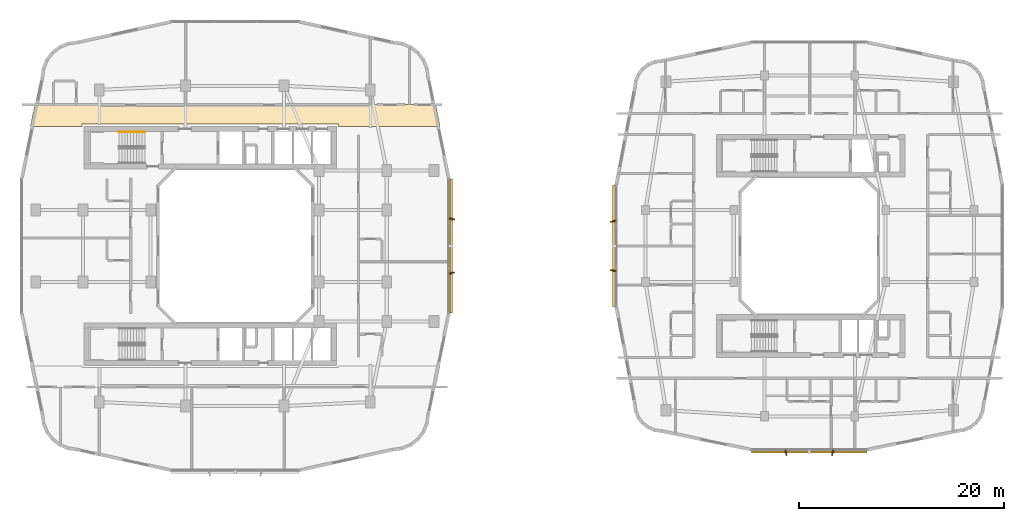
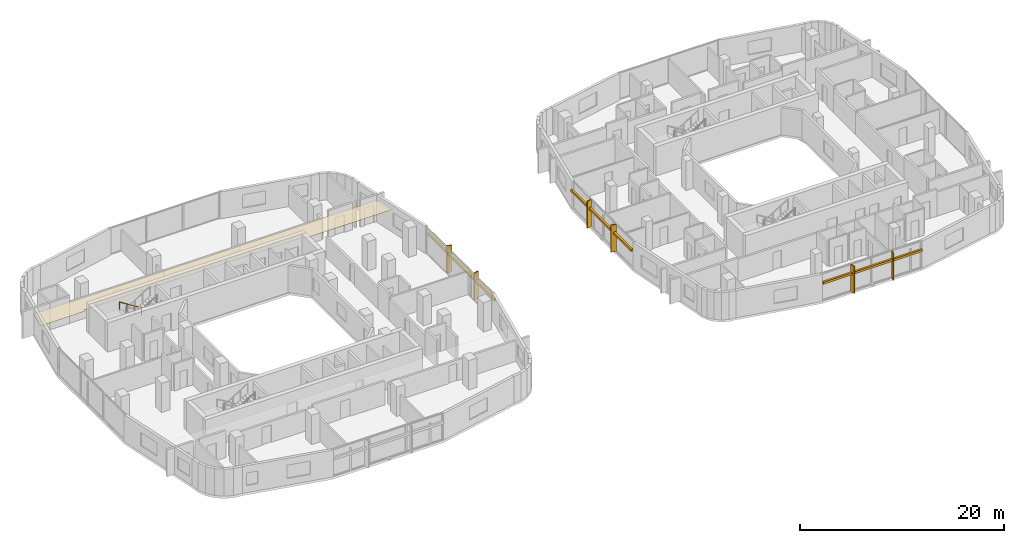
# One storey, part 25 of 26: 9 shading devices, 1 covering, 1 railing.
"""IFC4 building model written with IfcOpenShell, lengths in metres."""

from ifc_helpers import new_model, si_unit, derived_unit, direction, frame, origin, origin_2d, place, context, subcontext, project, spatial, polyline, rectangle, circle, outline, extrude, material, layer, layer_set, type_object, element, save


model = new_model("IFC4")

# Units and contexts
model_context = context("Model", 3, precision=1e-05, world=origin(), true_north=direction((0.0, 1.0)))
body_context = subcontext(model_context, "Body", "Model", "MODEL_VIEW")
ifc_project = project(units=[si_unit("LENGTHUNIT", "METRE"), si_unit("AREAUNIT", "SQUARE_METRE"), si_unit("VOLUMEUNIT", "CUBIC_METRE"), si_unit("PLANEANGLEUNIT", "RADIAN"), si_unit("MASSUNIT", "GRAM", prefix="KILO"), derived_unit("THERMALTRANSMITTANCEUNIT", [(si_unit("POWERUNIT", "WATT"), 1), (si_unit("LENGTHUNIT", "METRE"), -2), (si_unit("THERMODYNAMICTEMPERATUREUNIT", "KELVIN"), -1)])], contexts=[model_context])

# Site, building, storey
site_placement = place(None, origin())
site = spatial("IfcSite", under=ifc_project, at=site_placement, CompositionType="ELEMENT")
building_placement = place(site_placement, origin())
building = spatial("IfcBuilding", under=site, at=building_placement, Name="Kivonza Crest Hotel", CompositionType="ELEMENT")
storey_placement = place(building_placement, frame((0.0, 0.0, 62.5)))
storey = spatial("IfcBuildingStorey", under=building, at=storey_placement, Name="L16", CompositionType="ELEMENT", Elevation=62.5)

# Covering
ifc_material_1 = material(Name="Mineral-fibre acoustic ceiling tile", Category="gypsum")
ifc_layer = layer(ifc_material_1, 0.02490234375)
ifc_layer_set = layer_set([ifc_layer], Name="Mineral-fibre acoustic ceiling tile")
covering_type = type_object("IfcCoveringType", Name="CV-CEIL-ACOU", PredefinedType="CEILING", material=ifc_layer_set)
covering_placement = place(storey_placement, frame((0.0, 0.0, 2.449951171875)))
element("IfcCovering", 1, at=covering_placement, inside=storey, type_object=covering_type, Name="L16 Hotel North Guest Corridor suspended ceiling", PredefinedType="CEILING", context=body_context, shape_type="SweptSolid", body=[
    extrude(outline(polyline([(1.506103515625, 38.7900390625), (1.06396484375, 36.6201171875), (6.10009765625, 36.6201171875), (6.10009765625, 36.860107421875), (31.10009765625, 36.860107421875), (31.10009765625, 36.6201171875), (41.01611328125, 36.6201171875), (40.573974609375, 38.7900390625), (1.506103515625, 38.7900390625)])), origin(), (0.0, 0.0, 1.0), 0.025146484375),
])

# Railing
ifc_material_2 = material(Name="Brushed stainless steel handrail", Category="steel")
railing_type = type_object("IfcRailingType", Name="RL-HAND-900", PredefinedType="HANDRAIL", material=ifc_material_2)
railing_placement = place(storey_placement, frame((12.239990234375, 36.110107421875, 0.175048828125)))
element("IfcRailing", 2, at=railing_placement, inside=storey, type_object=railing_type, Name="L16 ST-T1-N stair handrail 1", PredefinedType="HANDRAIL", context=body_context, shape_type="SweptSolid", body=[
    extrude(circle(Radius=0.02392578125, at=origin_2d()), frame((0.0, 0.0, 0.8759765625), z_axis=(-0.848007534815, 0.0, 0.529984170421), x_axis=(0.0, -1.0, 0.0)), (0.0, 0.0, 1.0), 2.9716796875),
    extrude(circle(Radius=0.02099609375, at=origin_2d()), origin(), (0.0, 0.0, 1.0), 0.851806640625),
    extrude(circle(Radius=0.02099609375, at=origin_2d()), frame((-0.840087890625, 0.0, 0.52490234375)), (0.0, 0.0, 1.0), 0.851806640625),
    extrude(circle(Radius=0.02099609375, at=origin_2d()), frame((-1.679931640625, 0.0, 1.050048828125)), (0.0, 0.0, 1.0), 0.851806640625),
    extrude(circle(Radius=0.02099609375, at=origin_2d()), frame((-2.52001953125, 0.0, 1.574951171875)), (0.0, 0.0, 1.0), 0.851806640625),
])

# Shading devices
ifc_material_3 = material(Name="Kiln-fired Nairobi red-ochre terracotta", Category="masonry")
shading_device_type_1 = type_object("IfcShadingDeviceType", Name="SH-BAGUETTE-300", PredefinedType="USERDEFINED", material=ifc_material_3)
shading_device_1_placement = place(storey_placement, frame((42.080078125, 25.0, 2.1240234375), z_axis=(0.0, 0.0, 1.0), x_axis=(0.0, 1.0, 0.0)))
element("IfcShadingDevice", 3, at=shading_device_1_placement, inside=storey, type_object=shading_device_type_1, Name="L16 terracotta baguette screen CW-T1-L16-17", ObjectType="BAGUETTE", PredefinedType="USERDEFINED", context=body_context, shape_type="SweptSolid", body=[
    extrude(rectangle(XDim=13.080078125, YDim=0.219970703125, at=origin_2d()), origin(), (0.0, 0.0, 1.0), 0.260009765625),
])
shading_device_2_placement = place(storey_placement, frame((76.9599609375, 4.919921875, 2.14501953125), z_axis=(0.0, 0.0, 1.0), x_axis=(1.0, 0.0, 0.0)))
element("IfcShadingDevice", 4, at=shading_device_2_placement, inside=storey, type_object=shading_device_type_1, Name="L16 terracotta baguette screen CW-T2-L16-08", ObjectType="BAGUETTE", PredefinedType="USERDEFINED", context=body_context, shape_type="SweptSolid", body=[
    extrude(rectangle(XDim=11.256103515625, YDim=0.219970703125, at=origin_2d()), origin(), (0.0, 0.0, 1.0), 0.260009765625),
])
shading_device_3_placement = place(storey_placement, frame((57.919921875, 25.0, 2.14501953125), z_axis=(0.0, 0.0, 1.0), x_axis=(0.0, -1.0, 0.0)))
element("IfcShadingDevice", 5, at=shading_device_3_placement, inside=storey, type_object=shading_device_type_1, Name="L16 terracotta baguette screen CW-T2-L16-35", ObjectType="BAGUETTE", PredefinedType="USERDEFINED", context=body_context, shape_type="SweptSolid", body=[
    extrude(rectangle(XDim=11.8798828125, YDim=0.219970703125, at=origin_2d()), origin(), (0.0, 0.0, 1.0), 0.260009765625),
])
ifc_material_4 = material(Name="Kiln-fired terracotta over extruded aluminium spine", Category="masonry")
shading_device_type_2 = type_object("IfcShadingDeviceType", Name="SH-FIN-550", PredefinedType="USERDEFINED", material=ifc_material_4)
for number, where, z_axis, x_axis, name in (
    (6, (42.139892578125, 22.360107421875, 0.0), (0.0, 0.0, 1.0), (-0.2419218956, 0.970295726276, 0.0), "L16 vertical solar shading fin CW-T1-L16-17-1"),
    (7, (42.139892578125, 27.639892578125, 0.0), (0.0, 0.0, 1.0), (0.2419218956, 0.970295726276, 0.0), "L16 vertical solar shading fin CW-T1-L16-17-2"),
):
    element("IfcShadingDevice", number, at=place(storey_placement, frame(where, z_axis=z_axis, x_axis=x_axis)), inside=storey, type_object=shading_device_type_2, Name=name, ObjectType="FIN", PredefinedType="USERDEFINED", context=body_context, shape_type="SweptSolid", body=[
        extrude(rectangle(XDim=0.1201171875, YDim=0.550048828125, at=origin_2d()), origin(), (0.0, 0.0, 1.0), 3.219970703125),
    ])
for number, where, z_axis, x_axis, name in (
    (8, (74.68505859375, 4.860107421875, 0.0), (0.0, 0.0, 1.0), (0.970295726276, 0.2419218956, 0.0), "L16 vertical solar shading fin CW-T2-L16-08-1"),
    (9, (79.235107421875, 4.860107421875, 0.0), (0.0, 0.0, 1.0), (0.970295726276, -0.2419218956, 0.0), "L16 vertical solar shading fin CW-T2-L16-08-2"),
    (10, (57.860107421875, 27.39990234375, 0.0), (0.0, 0.0, 1.0), (0.2419218956, -0.970295726276, 0.0), "L16 vertical solar shading fin CW-T2-L16-35-1"),
    (11, (57.860107421875, 22.60009765625, 0.0), (0.0, 0.0, 1.0), (-0.2419218956, -0.970295726276, 0.0), "L16 vertical solar shading fin CW-T2-L16-35-2"),
):
    element("IfcShadingDevice", number, at=place(storey_placement, frame(where, z_axis=z_axis, x_axis=x_axis)), inside=storey, type_object=shading_device_type_2, Name=name, ObjectType="FIN", PredefinedType="USERDEFINED", context=body_context, shape_type="SweptSolid", body=[
        extrude(rectangle(XDim=0.1201171875, YDim=0.550048828125, at=origin_2d()), origin(), (0.0, 0.0, 1.0), 3.25),
    ])

save(model, "model.ifc")
